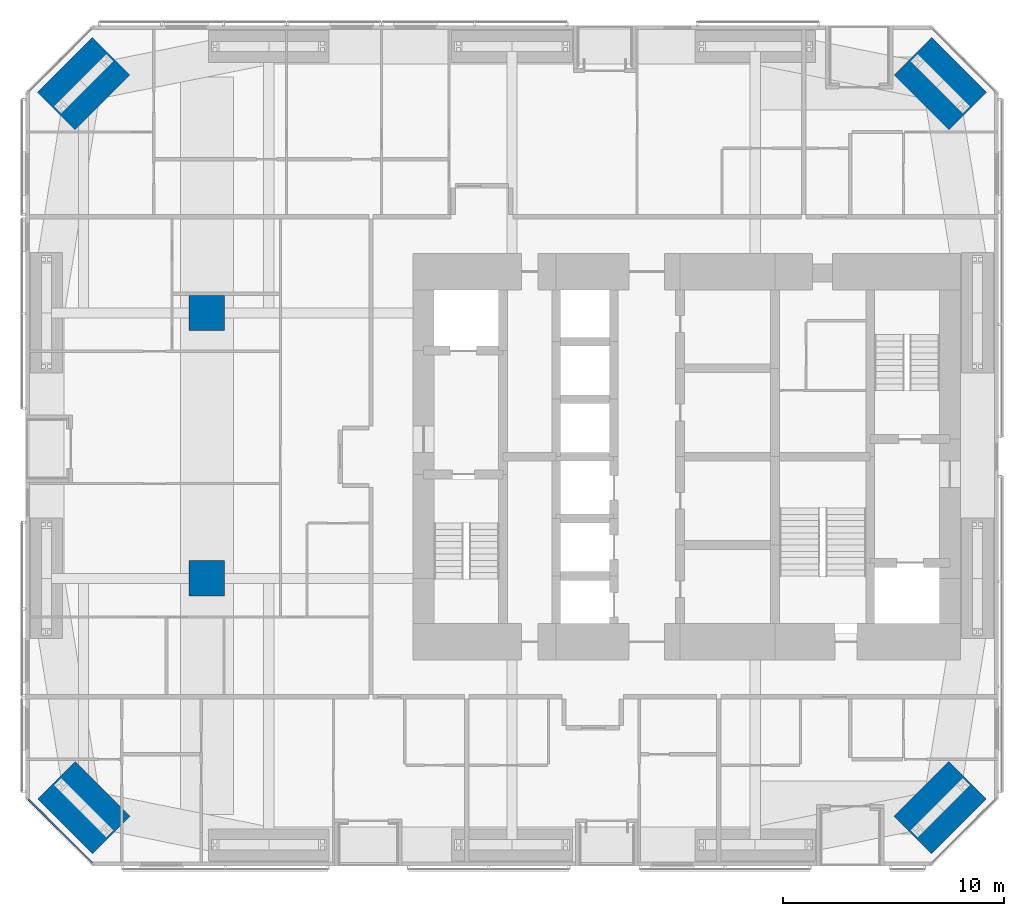
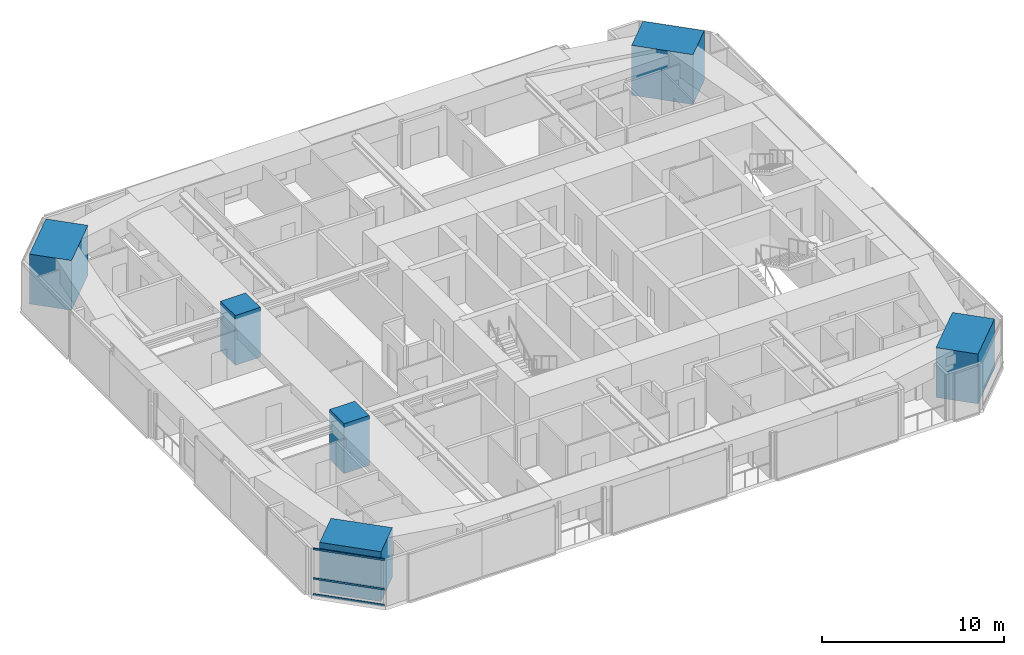
# One storey, part 1 of 23: 6 columns, 3 members, 1 element without a shape of its own.
"""IFC4 building model written with IfcOpenShell, lengths in metres."""

from ifc_helpers import new_model, si_unit, direction, frame, origin, origin_2d, place, context, subcontext, project, spatial, rectangle, extrude, material, material_profile, profile_set, type_object, element, aggregate, save


model = new_model("IFC4")

# Units and contexts
model_context = context("Model", 3, precision=1e-05, world=origin(), true_north=direction((0.0, 1.0)))
body_context = subcontext(model_context, "Body", "Model", "MODEL_VIEW")
ifc_project = project(units=[si_unit("LENGTHUNIT", "METRE"), si_unit("AREAUNIT", "SQUARE_METRE"), si_unit("VOLUMEUNIT", "CUBIC_METRE"), si_unit("PLANEANGLEUNIT", "RADIAN"), si_unit("MASSUNIT", "GRAM", prefix="KILO")], contexts=[model_context])

# Site, building, storey
site_placement = place(None, origin())
site = spatial("IfcSite", under=ifc_project, at=site_placement, CompositionType="ELEMENT")
building_placement = place(site_placement, origin())
building = spatial("IfcBuilding", under=site, at=building_placement, Name="Jalousie Tower", CompositionType="ELEMENT")
storey_placement = place(building_placement, frame((0.0, 0.0, 27.699951171875)))
storey = spatial("IfcBuildingStorey", under=building, at=storey_placement, Name="L06", CompositionType="ELEMENT", Elevation=27.699951171875)

# Columns
ifc_material_1 = material(Name="Concrete f'c 120 MPa", Category="concrete")
ifc_material_profile_1 = material_profile(ifc_material_1, rectangle(XDim=1.60009765625, YDim=1.60009765625, at=origin_2d()), Name="RC 1600x1600")
ifc_profile_set_1 = profile_set([ifc_material_profile_1], Name="Concrete f'c 120 MPa")
column_type_1 = type_object("IfcColumnType", Name="RC COLUMN 1600x1600", PredefinedType="COLUMN", material=ifc_profile_set_1)
for number, where, z_axis, x_axis, name in (
    (1, (10.199951171875, 13.0, 0.0), (0.0, 0.0, 1.0), (1.0, 0.0, 0.0), "Interior column IA1 L06"),
    (2, (10.199951171875, 25.0, 0.0), (0.0, 0.0, 1.0), (1.0, 0.0, 0.0), "Interior column IA2 L06"),
):
    element("IfcColumn", number, at=place(storey_placement, frame(where, z_axis=z_axis, x_axis=x_axis)), inside=storey, type_object=column_type_1, Name=name, PredefinedType="COLUMN", context=body_context, shape_type="SweptSolid", body=[
        extrude(rectangle(XDim=1.60009765625, YDim=1.60009765625, at=origin_2d()), origin(), (0.0, 0.0, 1.0), 3.35009765625),
    ])
ifc_material_2 = material(Name="Concrete f'c 120 MPa", Category="concrete")
ifc_material_profile_2 = material_profile(ifc_material_2, rectangle(XDim=2.39990234375, YDim=3.5, at=origin_2d()), Name="RC 2400x3500")
ifc_profile_set_2 = profile_set([ifc_material_profile_2], Name="Concrete f'c 120 MPa")
column_type_2 = type_object("IfcColumnType", Name="RC CORNER COLUMN 2400x3500", PredefinedType="COLUMN", material=ifc_profile_set_2)
for number, where, z_axis, x_axis, name in (
    (3, (4.63134765625, 2.63134765625, 0.0), (0.0, 0.0, 1.0), (0.707106781187, 0.707106781187, 0.0), "Corner column 01 L06"),
    (4, (43.36865234375, 2.63134765625, 0.0), (0.0, 0.0, 1.0), (-0.707106781187, 0.707106781187, 0.0), "Corner column 05 L06"),
    (5, (43.36865234375, 35.36865234375, 0.0), (0.0, 0.0, 1.0), (-0.707106781187, -0.707106781187, 0.0), "Corner column 08 L06"),
    (6, (4.63134765625, 35.36865234375, 0.0), (0.0, 0.0, 1.0), (0.707106781187, -0.707106781187, 0.0), "Corner column 12 L06"),
):
    element("IfcColumn", number, at=place(storey_placement, frame(where, z_axis=z_axis, x_axis=x_axis)), inside=storey, type_object=column_type_2, Name=name, PredefinedType="COLUMN", context=body_context, shape_type="SweptSolid", body=[
        extrude(rectangle(XDim=2.39990234375, YDim=3.5, at=origin_2d()), origin(), (0.0, 0.0, 1.0), 3.35009765625),
    ])

# Curtain wall, members
ifc_material_3 = material(Name="Aluminium curtain wall", Category="aluminium")
curtain_wall_type = type_object("IfcCurtainWallType", Name="CORNER WINDOW WALL", PredefinedType="USERDEFINED", material=ifc_material_3)
curtain_wall_placement = place(storey_placement, origin())
curtain_wall = element("IfcCurtainWall", 7, at=curtain_wall_placement, inside=storey, type_object=curtain_wall_type, Name="Corner Window Wall L06 8", ObjectType="CORNER WINDOW WALL", PredefinedType="USERDEFINED")
ifc_material_4 = material(Name="Aluminium transom", Category="aluminium")
ifc_material_profile_3 = material_profile(ifc_material_4, rectangle(XDim=0.06005859375, YDim=0.1201171875, at=origin_2d()), Name="TRANSOM 60x120")
ifc_profile_set_3 = profile_set([ifc_material_profile_3], Name="Aluminium transom")
member_type = type_object("IfcMemberType", Name="CORNER WINDOW WALL TRANSOM", PredefinedType="USERDEFINED", material=ifc_profile_set_3)
member_1_placement = place(storey_placement, frame((2.1298828125, 3.0087890625, 0.030029296875), z_axis=(0.707106781187, -0.707106781187, 0.0), x_axis=(0.707106781187, 0.707106781187, 0.0)))
member_1 = element("IfcMember", 8, at=member_1_placement, type_object=member_type, Name="CW-C transom 1.1", ObjectType="TRANSOM", PredefinedType="USERDEFINED", context=body_context, shape_type="SweptSolid", body=[
    extrude(rectangle(XDim=0.06005859375, YDim=0.1201171875, at=origin_2d()), origin(), (0.0, 0.0, 1.0), 4.0712890625),
])
member_2_placement = place(storey_placement, frame((2.1298828125, 3.0087890625, 1.10009765625), z_axis=(0.707106781187, -0.707106781187, 0.0), x_axis=(0.707106781187, 0.707106781187, 0.0)))
member_2 = element("IfcMember", 9, at=member_2_placement, type_object=member_type, Name="CW-C transom 1.2", ObjectType="TRANSOM", PredefinedType="USERDEFINED", context=body_context, shape_type="SweptSolid", body=[
    extrude(rectangle(XDim=0.06005859375, YDim=0.1201171875, at=origin_2d()), origin(), (0.0, 0.0, 1.0), 4.0712890625),
])
member_3_placement = place(storey_placement, frame((2.1298828125, 3.0087890625, 3.080078125), z_axis=(0.707106781187, -0.707106781187, 0.0), x_axis=(0.707106781187, 0.707106781187, 0.0)))
member_3 = element("IfcMember", 10, at=member_3_placement, type_object=member_type, Name="CW-C transom 1.3", ObjectType="TRANSOM", PredefinedType="USERDEFINED", context=body_context, shape_type="SweptSolid", body=[
    extrude(rectangle(XDim=0.06005859375, YDim=0.1201171875, at=origin_2d()), origin(), (0.0, 0.0, 1.0), 4.0712890625),
])
aggregate(curtain_wall, [member_1, member_2, member_3])

save(model, "model.ifc")
